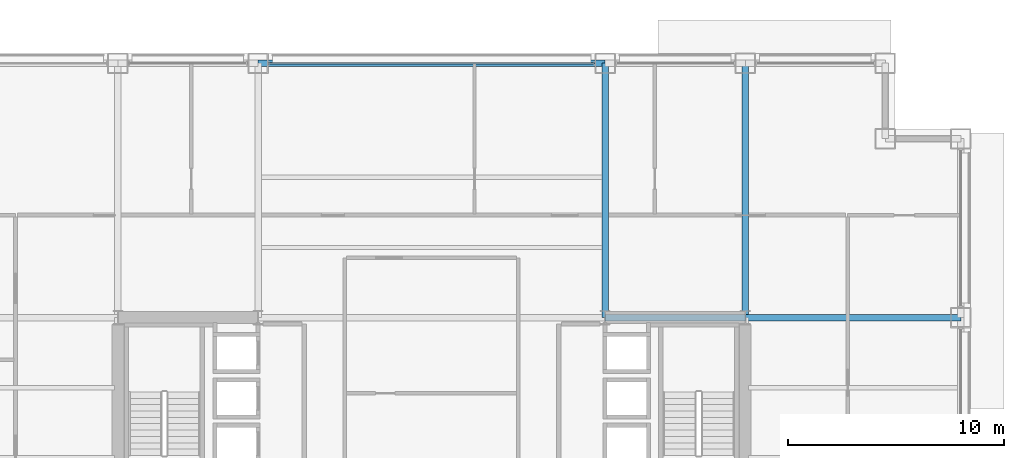
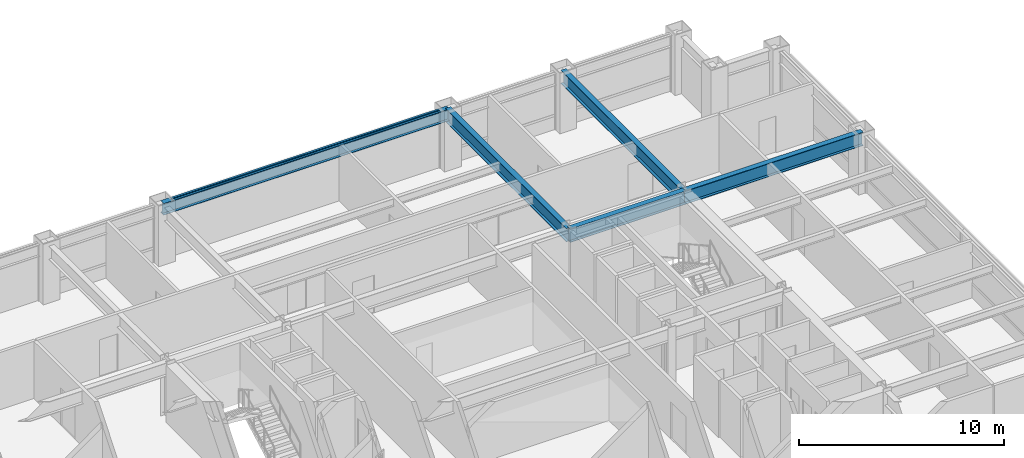
# One storey, part 20 of 28: 5 beams, 1 member, 1 element without a shape of its own.
"""IFC4 building model written with IfcOpenShell, lengths in metres."""

from ifc_helpers import new_model, si_unit, direction, frame, origin, origin_2d, place, context, subcontext, project, spatial, hollow_rectangle, i_section, extrude, material, layer, layer_set, material_profile, profile_set, type_object, element, aggregate, save


model = new_model("IFC4")

# Units and contexts
model_context = context("Model", 3, precision=1e-05, world=origin(), true_north=direction((0.0, 1.0)))
body_context = subcontext(model_context, "Body", "Model", "MODEL_VIEW")
ifc_project = project(units=[si_unit("LENGTHUNIT", "METRE"), si_unit("AREAUNIT", "SQUARE_METRE"), si_unit("VOLUMEUNIT", "CUBIC_METRE"), si_unit("PLANEANGLEUNIT", "RADIAN"), si_unit("MASSUNIT", "GRAM", prefix="KILO")], contexts=[model_context])

# Site, building, storey
site_placement = place(None, origin())
site = spatial("IfcSite", under=ifc_project, at=site_placement, CompositionType="ELEMENT")
building_placement = place(site_placement, origin())
building = spatial("IfcBuilding", under=site, at=building_placement, Name="Brelmoor Portico Tower", CompositionType="ELEMENT")
storey_placement = place(building_placement, frame((0.0, 0.0, 49.199951171875)))
storey = spatial("IfcBuildingStorey", under=building, at=storey_placement, Name="L12", CompositionType="ELEMENT", Elevation=49.199951171875)

# Beams
ifc_material_1 = material(Name="Steel Q355B", Category="steel")
ifc_material_profile_1 = material_profile(ifc_material_1, i_section(OverallWidth=0.300048828125, OverallDepth=0.800048828125, WebThickness=0.013916015625, FlangeThickness=0.02587890625, at=origin_2d()), Name="HN 800x300x14x26")
ifc_profile_set_1 = profile_set([ifc_material_profile_1], Name="Steel Q355B")
beam_type_1 = type_object("IfcBeamType", Name="BM-PG-800", PredefinedType="BEAM", material=ifc_profile_set_1)
for number, where, z_axis, x_axis, name in (
    (1, (8.050048828125, 9.75, 3.0), (0.0, 1.0, 0.0), (-1.0, 0.0, 0.0), "L12 Primary Floor Girder PG-10"),
    (2, (14.550048828125, 9.75, 3.0), (0.0, 1.0, 0.0), (-1.0, 0.0, 0.0), "L12 Primary Floor Girder PG-14"),
):
    element("IfcBeam", number, at=place(storey_placement, frame(where, z_axis=z_axis, x_axis=x_axis)), inside=storey, type_object=beam_type_1, Name=name, PredefinedType="BEAM", context=body_context, shape_type="SweptSolid", body=[
        extrude(i_section(OverallWidth=0.300048828125, OverallDepth=0.800048828125, WebThickness=0.013916015625, FlangeThickness=0.02587890625, at=origin_2d()), origin(), (0.0, 0.0, 1.0), 11.800048828125),
    ])
beam_1_placement = place(storey_placement, frame((8.050048828125, 9.75, 3.0), z_axis=(1.0, 0.0, 0.0), x_axis=(0.0, 1.0, 0.0)))
element("IfcBeam", 3, at=beam_1_placement, inside=storey, type_object=beam_type_1, Name="L12 Primary Floor Girder PG-30", PredefinedType="BEAM", context=body_context, shape_type="SweptSolid", body=[
    extrude(i_section(OverallWidth=0.300048828125, OverallDepth=0.800048828125, WebThickness=0.013916015625, FlangeThickness=0.02587890625, at=origin_2d()), origin(), (0.0, 0.0, 1.0), 6.5),
])
beam_2_placement = place(storey_placement, frame((14.550048828125, 9.75, 3.0), z_axis=(1.0, 0.0, 0.0), x_axis=(0.0, 1.0, 0.0)))
element("IfcBeam", 4, at=beam_2_placement, inside=storey, type_object=beam_type_1, Name="L12 Primary Floor Girder PG-31", PredefinedType="BEAM", context=body_context, shape_type="SweptSolid", body=[
    extrude(i_section(OverallWidth=0.300048828125, OverallDepth=0.800048828125, WebThickness=0.013916015625, FlangeThickness=0.02587890625, at=origin_2d()), origin(), (0.0, 0.0, 1.0), 10.0),
])
ifc_material_profile_2 = material_profile(ifc_material_1, i_section(OverallWidth=0.300048828125, OverallDepth=0.699951171875, WebThickness=0.012939453125, FlangeThickness=0.02392578125, at=origin_2d()), Name="HN 700x300x13x24")
ifc_profile_set_2 = profile_set([ifc_material_profile_2], Name="Steel Q355B")
beam_type_2 = type_object("IfcBeamType", Name="BM-SP-700", PredefinedType="SPANDREL", material=ifc_profile_set_2)
beam_3_placement = place(storey_placement, frame((-8.050048828125, 21.550048828125, 3.050048828125), z_axis=(1.0, 0.0, 0.0), x_axis=(0.0, 1.0, 0.0)))
element("IfcBeam", 5, at=beam_3_placement, inside=storey, type_object=beam_type_2, Name="L12 Perimeter Spandrel Beam SP-12", PredefinedType="SPANDREL", context=body_context, shape_type="SweptSolid", body=[
    extrude(i_section(OverallWidth=0.300048828125, OverallDepth=0.699951171875, WebThickness=0.012939453125, FlangeThickness=0.02392578125, at=origin_2d()), origin(), (0.0, 0.0, 1.0), 16.10009765625),
])

# Curtain wall, member
ifc_material_2 = material(Name="Anodised Aluminium Alloy 6063-T6", Category="aluminium")
ifc_layer = layer(ifc_material_2, 0.179931640625)
ifc_layer_set = layer_set([ifc_layer], Name="Anodised Aluminium Alloy 6063-T6")
curtain_wall_type = type_object("IfcCurtainWallType", Name="CW-TOWER-Z1-XB", PredefinedType="NOTDEFINED", material=ifc_layer_set)
curtain_wall_placement = place(storey_placement, origin())
curtain_wall = element("IfcCurtainWall", 6, at=curtain_wall_placement, inside=storey, type_object=curtain_wall_type, Name="L12 Curtain Wall CW-L12-02-3", PredefinedType="NOTDEFINED")
ifc_material_profile_3 = material_profile(ifc_material_2, hollow_rectangle(XDim=0.06494140625, YDim=0.139892578125, WallThickness=0.00390625, at=origin_2d()), Name="ALU TRANSOM 65x140")
ifc_profile_set_3 = profile_set([ifc_material_profile_3], Name="Anodised Aluminium Alloy 6063-T6")
member_type = type_object("IfcMemberType", Name="MB-CW-TRAN-140", PredefinedType="USERDEFINED", material=ifc_profile_set_3)
member_placement = place(storey_placement, frame((-7.56494140625, 21.550048828125, 3.330078125), z_axis=(1.0, 0.0, 0.0), x_axis=(0.0, 1.0, 0.0)))
member = element("IfcMember", 7, at=member_placement, type_object=member_type, Name="CW-L12-02-3 Transom 1-00", ObjectType="TRANSOM", PredefinedType="USERDEFINED", context=body_context, shape_type="SweptSolid", body=[
    extrude(hollow_rectangle(XDim=0.06494140625, YDim=0.139892578125, WallThickness=0.00390625, at=origin_2d()), origin(), (0.0, 0.0, 1.0), 15.1298828125),
])
aggregate(curtain_wall, [member])

save(model, "model.ifc")
